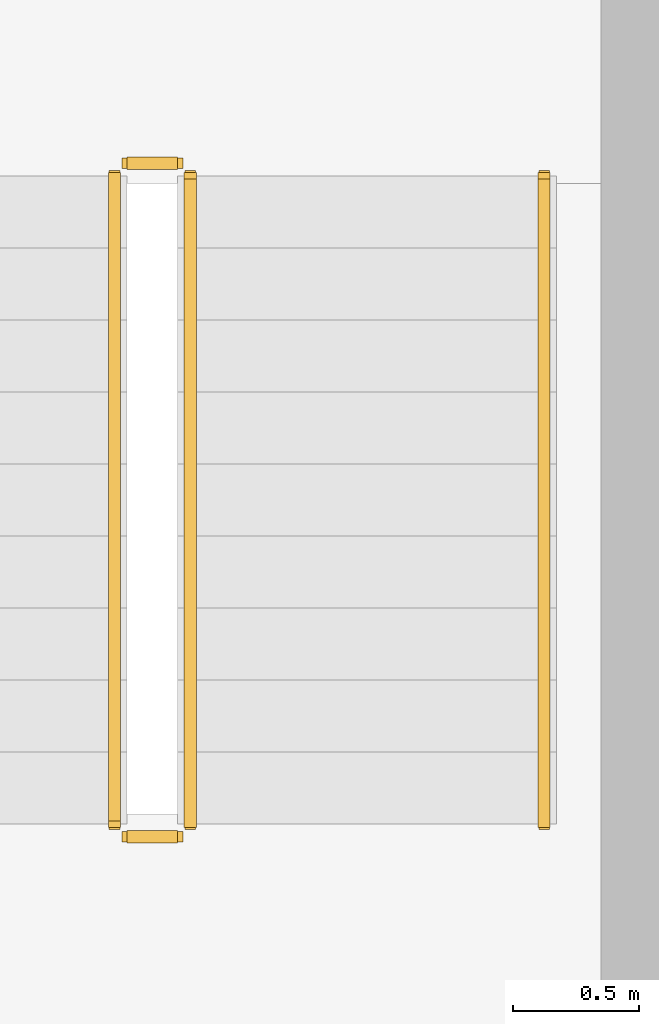
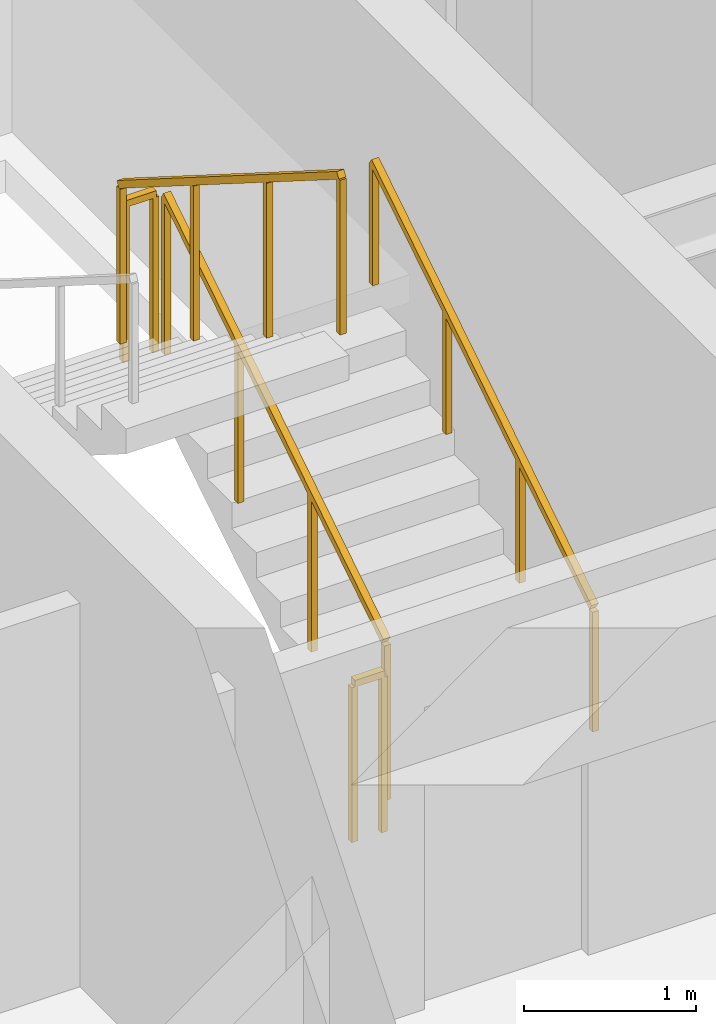
# One storey, part 23 of 23: 5 railings.
"""IFC4 building model written with IfcOpenShell, lengths in metres."""

from ifc_helpers import new_model, si_unit, direction, frame, origin, origin_2d, place, context, subcontext, project, spatial, rectangle, extrude, material, type_object, element, save


model = new_model("IFC4")

# Units and contexts
model_context = context("Model", 3, precision=1e-05, world=origin(), true_north=direction((0.0, 1.0)))
body_context = subcontext(model_context, "Body", "Model", "MODEL_VIEW")
ifc_project = project(units=[si_unit("LENGTHUNIT", "METRE"), si_unit("AREAUNIT", "SQUARE_METRE"), si_unit("VOLUMEUNIT", "CUBIC_METRE"), si_unit("PLANEANGLEUNIT", "RADIAN"), si_unit("MASSUNIT", "GRAM", prefix="KILO")], contexts=[model_context])

# Site, building, storey
site_placement = place(None, origin())
site = spatial("IfcSite", under=ifc_project, at=site_placement, CompositionType="ELEMENT")
building_placement = place(site_placement, origin())
building = spatial("IfcBuilding", under=site, at=building_placement, Name="Sarneth Arch Tower", CompositionType="ELEMENT")
storey_placement = place(building_placement, frame((0.0, 0.0, 280.199951171875)))
storey = spatial("IfcBuildingStorey", under=building, at=storey_placement, Name="L72", CompositionType="ELEMENT", Elevation=280.199951171875)

# Railings
ifc_material_1 = material(Name="Brushed Stainless Steel 304 tubular handrail", Category="steel")
railing_type_1 = type_object("IfcRailingType", Name="RAIL-HANDRAIL-900", PredefinedType="HANDRAIL", material=ifc_material_1)
railing_1_placement = place(storey_placement, frame((58.60009765625, 41.449951171875, 0.179931640625)))
element("IfcRailing", 1, at=railing_1_placement, inside=storey, type_object=railing_type_1, Name="L72 ST-2 stair handrail 1", PredefinedType="HANDRAIL", context=body_context, shape_type="SweptSolid", body=[
    extrude(rectangle(XDim=0.048095703125, YDim=0.048095703125, at=origin_2d()), frame((0.0, 0.0, 0.8759765625), z_axis=(0.0, 0.845465955043, 0.534029323973), x_axis=(-1.0, 0.0, 0.0)), (0.0, 0.0, 1.0), 3.03369140625),
    extrude(rectangle(XDim=0.0419921875, YDim=0.0419921875, at=origin_2d()), origin(), (0.0, 0.0, 1.0), 0.851806640625),
    extrude(rectangle(XDim=0.0419921875, YDim=0.0419921875, at=origin_2d()), frame((0.0, 0.85498046875, 0.5400390625)), (0.0, 0.0, 1.0), 0.851806640625),
    extrude(rectangle(XDim=0.0419921875, YDim=0.0419921875, at=origin_2d()), frame((0.0, 1.7099609375, 1.080078125)), (0.0, 0.0, 1.0), 0.851806640625),
    extrude(rectangle(XDim=0.0419921875, YDim=0.0419921875, at=origin_2d()), frame((0.0, 2.56494140625, 1.6201171875)), (0.0, 0.0, 1.0), 0.851806640625),
])
ifc_material_2 = material(Name="Painted Steel S275 stair well guard", Category="steel")
railing_type_2 = type_object("IfcRailingType", Name="RAIL-STAIR-GUARD", PredefinedType="GUARDRAIL", material=ifc_material_2)
railing_2_placement = place(storey_placement, frame((57.199951171875, 41.449951171875, 0.179931640625)))
element("IfcRailing", 2, at=railing_2_placement, inside=storey, type_object=railing_type_2, Name="L72 ST-2 stair guard 1", PredefinedType="GUARDRAIL", context=body_context, shape_type="SweptSolid", body=[
    extrude(rectangle(XDim=0.048095703125, YDim=0.048095703125, at=origin_2d()), frame((0.0, 0.0, 1.1259765625), z_axis=(0.0, 0.845465955043, 0.534029323973), x_axis=(-1.0, 0.0, 0.0)), (0.0, 0.0, 1.0), 3.03369140625),
    extrude(rectangle(XDim=0.0419921875, YDim=0.0419921875, at=origin_2d()), origin(), (0.0, 0.0, 1.0), 1.101806640625),
    extrude(rectangle(XDim=0.0419921875, YDim=0.0419921875, at=origin_2d()), frame((0.0, 0.85498046875, 0.5400390625)), (0.0, 0.0, 1.0), 1.101806640625),
    extrude(rectangle(XDim=0.0419921875, YDim=0.0419921875, at=origin_2d()), frame((0.0, 1.7099609375, 1.080078125)), (0.0, 0.0, 1.0), 1.101806640625),
    extrude(rectangle(XDim=0.0419921875, YDim=0.0419921875, at=origin_2d()), frame((0.0, 2.56494140625, 1.6201171875)), (0.0, 0.0, 1.0), 1.101806640625),
])
railing_3_placement = place(storey_placement, frame((57.14990234375, 44.06494140625, 1.800048828125)))
element("IfcRailing", 3, at=railing_3_placement, inside=storey, type_object=railing_type_2, Name="L72 ST-2 stair guard 2", PredefinedType="GUARDRAIL", context=body_context, shape_type="SweptSolid", body=[
    extrude(rectangle(XDim=0.048095703125, YDim=0.048095703125, at=origin_2d()), frame((0.0, 0.0, 1.1259765625), z_axis=(-1.0, 0.0, 0.0), x_axis=(0.0, -1.0, 0.0)), (0.0, 0.0, 1.0), 0.199951171875),
    extrude(rectangle(XDim=0.0419921875, YDim=0.0419921875, at=origin_2d()), origin(), (0.0, 0.0, 1.0), 1.101806640625),
    extrude(rectangle(XDim=0.0419921875, YDim=0.0419921875, at=origin_2d()), frame((-0.199951171875, 0.0, 0.0)), (0.0, 0.0, 1.0), 1.101806640625),
])
railing_4_placement = place(storey_placement, frame((56.89990234375, 44.014892578125, 1.97998046875)))
element("IfcRailing", 4, at=railing_4_placement, inside=storey, type_object=railing_type_2, Name="L72 ST-2 stair guard 3", PredefinedType="GUARDRAIL", context=body_context, shape_type="SweptSolid", body=[
    extrude(rectangle(XDim=0.048095703125, YDim=0.048095703125, at=origin_2d()), frame((0.0, 0.0, 1.1259765625), z_axis=(0.0, -0.845465955043, 0.534029323973), x_axis=(1.0, 0.0, 0.0)), (0.0, 0.0, 1.0), 3.03369140625),
    extrude(rectangle(XDim=0.0419921875, YDim=0.0419921875, at=origin_2d()), origin(), (0.0, 0.0, 1.0), 1.101806640625),
    extrude(rectangle(XDim=0.0419921875, YDim=0.0419921875, at=origin_2d()), frame((0.0, -0.85498046875, 0.5400390625)), (0.0, 0.0, 1.0), 1.101806640625),
    extrude(rectangle(XDim=0.0419921875, YDim=0.0419921875, at=origin_2d()), frame((0.0, -1.7099609375, 1.080078125)), (0.0, 0.0, 1.0), 1.101806640625),
    extrude(rectangle(XDim=0.0419921875, YDim=0.0419921875, at=origin_2d()), frame((0.0, -2.56494140625, 1.6201171875)), (0.0, 0.0, 1.0), 1.101806640625),
])
railing_5_placement = place(storey_placement, frame((57.14990234375, 41.39990234375, 0.0)))
element("IfcRailing", 5, at=railing_5_placement, inside=storey, type_object=railing_type_2, Name="L72 ST-2 stair guard 4", PredefinedType="GUARDRAIL", context=body_context, shape_type="SweptSolid", body=[
    extrude(rectangle(XDim=0.048095703125, YDim=0.048095703125, at=origin_2d()), frame((0.0, 0.0, 1.1259765625), z_axis=(-1.0, 0.0, 0.0), x_axis=(0.0, -1.0, 0.0)), (0.0, 0.0, 1.0), 0.199951171875),
    extrude(rectangle(XDim=0.0419921875, YDim=0.0419921875, at=origin_2d()), origin(), (0.0, 0.0, 1.0), 1.101806640625),
    extrude(rectangle(XDim=0.0419921875, YDim=0.0419921875, at=origin_2d()), frame((-0.199951171875, 0.0, 0.0)), (0.0, 0.0, 1.0), 1.101806640625),
])

save(model, "model.ifc")
